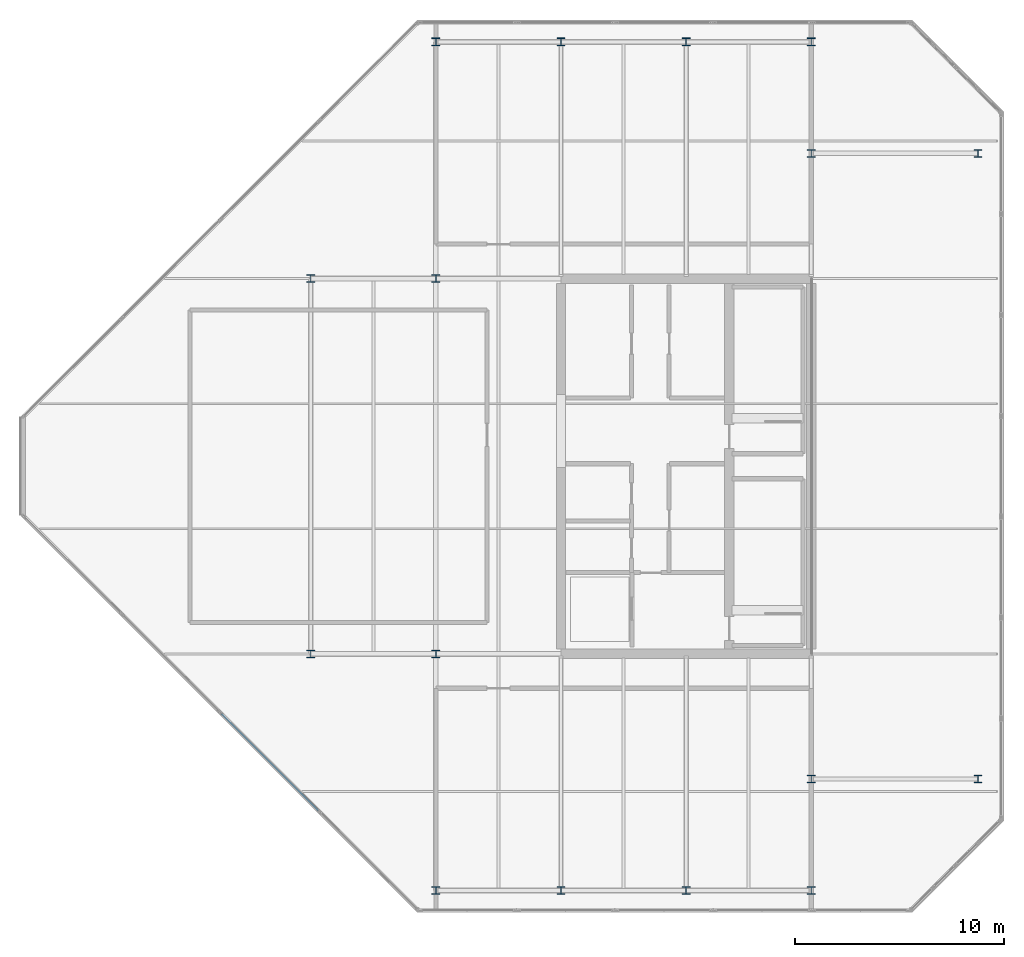
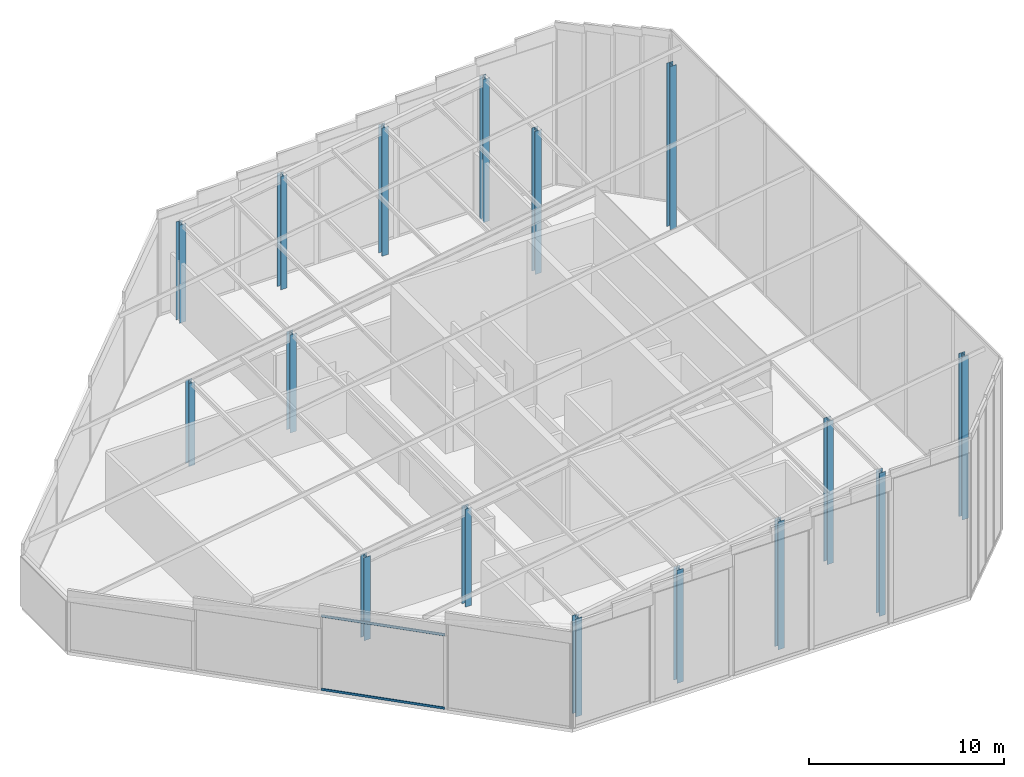
# One storey, part 1 of 30: 16 columns, 2 members, 1 element without a shape of its own.
"""IFC4 building model written with IfcOpenShell, lengths in metres."""

from ifc_helpers import new_model, si_unit, direction, frame, origin, origin_2d, place, context, subcontext, project, spatial, hollow_rectangle, i_section, extrude, material, layer, layer_set, material_profile, profile_set, type_object, element, aggregate, save


model = new_model("IFC4")

# Units and contexts
model_context = context("Model", 3, precision=1e-05, world=origin(), true_north=direction((0.0, 1.0)))
body_context = subcontext(model_context, "Body", "Model", "MODEL_VIEW")
ifc_project = project(units=[si_unit("LENGTHUNIT", "METRE"), si_unit("AREAUNIT", "SQUARE_METRE"), si_unit("VOLUMEUNIT", "CUBIC_METRE"), si_unit("PLANEANGLEUNIT", "RADIAN"), si_unit("MASSUNIT", "GRAM", prefix="KILO")], contexts=[model_context])

# Site, building, storey
site_placement = place(None, origin())
site = spatial("IfcSite", under=ifc_project, at=site_placement, CompositionType="ELEMENT")
building_placement = place(site_placement, origin())
building = spatial("IfcBuilding", under=site, at=building_placement, Name="Tanjung Sevakor Pilgrim Tower", CompositionType="ELEMENT")
storey_placement = place(building_placement, frame((0.0, 0.0, 287.760009765625)))
storey = spatial("IfcBuildingStorey", under=building, at=storey_placement, Name="L80", CompositionType="ELEMENT", Elevation=287.760009765625)

# Columns
ifc_material_1 = material(Name="Steel S460M", Category="steel")
ifc_material_profile_1 = material_profile(ifc_material_1, i_section(OverallWidth=0.374755859375, OverallDepth=0.37451171875, WebThickness=0.0166015625, FlangeThickness=0.027099609375, FilletRadius=0.01513671875, at=origin_2d()))
ifc_profile_set_1 = profile_set([ifc_material_profile_1], Name="Steel S460M")
column_type = type_object("IfcColumnType", Name="COL-C-S202-UC_356x368x202", PredefinedType="COLUMN", material=ifc_profile_set_1)
for number, where, z_axis, x_axis, name in (
    (1, (66.0, 24.60009765625, 0.0), (0.0, 0.0, 1.0), (1.0, 0.0, 0.0), "L80 Column SPE-066-246"),
    (2, (66.0, 42.60009765625, 0.0), (0.0, 0.0, 1.0), (1.0, 0.0, 0.0), "L80 Column SPE-066-426"),
):
    element("IfcColumn", number, at=place(storey_placement, frame(where, z_axis=z_axis, x_axis=x_axis)), inside=storey, type_object=column_type, Name=name, PredefinedType="COLUMN", context=body_context, shape_type="SweptSolid", body=[
        extrude(i_section(OverallWidth=0.374755859375, OverallDepth=0.37451171875, WebThickness=0.0166015625, FlangeThickness=0.027099609375, FilletRadius=0.01513671875, at=origin_2d()), origin(), (0.0, 0.0, 1.0), 5.203857421875),
    ])
for number, where, z_axis, x_axis, name in (
    (3, (72.0, 24.60009765625, 0.0), (0.0, 0.0, 1.0), (1.0, 0.0, 0.0), "L80 Column SPE-072-246"),
    (4, (72.0, 42.60009765625, 0.0), (0.0, 0.0, 1.0), (1.0, 0.0, 0.0), "L80 Column SPE-072-426"),
):
    element("IfcColumn", number, at=place(storey_placement, frame(where, z_axis=z_axis, x_axis=x_axis)), inside=storey, type_object=column_type, Name=name, PredefinedType="COLUMN", context=body_context, shape_type="SweptSolid", body=[
        extrude(i_section(OverallWidth=0.374755859375, OverallDepth=0.37451171875, WebThickness=0.0166015625, FlangeThickness=0.027099609375, FilletRadius=0.01513671875, at=origin_2d()), origin(), (0.0, 0.0, 1.0), 6.146484375),
    ])
for number, where, z_axis, x_axis, name in (
    (5, (90.0, 18.60009765625, 0.0), (0.0, 0.0, 1.0), (1.0, 0.0, 0.0), "L80 Column TCE-0900-186"),
    (6, (90.0, 48.60009765625, 0.0), (0.0, 0.0, 1.0), (1.0, 0.0, 0.0), "L80 Column TCE-0900-486"),
):
    element("IfcColumn", number, at=place(storey_placement, frame(where, z_axis=z_axis, x_axis=x_axis)), inside=storey, type_object=column_type, Name=name, PredefinedType="COLUMN", context=body_context, shape_type="SweptSolid", body=[
        extrude(i_section(OverallWidth=0.374755859375, OverallDepth=0.37451171875, WebThickness=0.0166015625, FlangeThickness=0.027099609375, FilletRadius=0.01513671875, at=origin_2d()), origin(), (0.0, 0.0, 1.0), 8.974609375),
    ])
for number, where, z_axis, x_axis, name in (
    (7, (98.0, 18.60009765625, 0.0), (0.0, 0.0, 1.0), (1.0, 0.0, 0.0), "L80 Column TCE-0980-186"),
    (8, (98.0, 48.60009765625, 0.0), (0.0, 0.0, 1.0), (1.0, 0.0, 0.0), "L80 Column TCE-0980-486"),
):
    element("IfcColumn", number, at=place(storey_placement, frame(where, z_axis=z_axis, x_axis=x_axis)), inside=storey, type_object=column_type, Name=name, PredefinedType="COLUMN", context=body_context, shape_type="SweptSolid", body=[
        extrude(i_section(OverallWidth=0.374755859375, OverallDepth=0.37451171875, WebThickness=0.0166015625, FlangeThickness=0.027099609375, FilletRadius=0.01513671875, at=origin_2d()), origin(), (0.0, 0.0, 1.0), 10.2314453125),
    ])
for number, where, z_axis, x_axis, name in (
    (9, (72.0, 13.25, 0.0), (0.0, 0.0, 1.0), (1.0, 0.0, 0.0), "L80 Column TC4-072-132"),
    (10, (72.0, 53.949951171875, 0.0), (0.0, 0.0, 1.0), (1.0, 0.0, 0.0), "L80 Column TC4-072-540"),
):
    element("IfcColumn", number, at=place(storey_placement, frame(where, z_axis=z_axis, x_axis=x_axis)), inside=storey, type_object=column_type, Name=name, PredefinedType="COLUMN", context=body_context, shape_type="SweptSolid", body=[
        extrude(i_section(OverallWidth=0.374755859375, OverallDepth=0.37451171875, WebThickness=0.0166015625, FlangeThickness=0.027099609375, FilletRadius=0.01513671875, at=origin_2d()), origin(), (0.0, 0.0, 1.0), 6.146484375),
    ])
for number, where, z_axis, x_axis, name in (
    (11, (78.0, 13.25, 0.0), (0.0, 0.0, 1.0), (1.0, 0.0, 0.0), "L80 Column TC4-078-132"),
    (12, (78.0, 53.949951171875, 0.0), (0.0, 0.0, 1.0), (1.0, 0.0, 0.0), "L80 Column TC4-078-540"),
):
    element("IfcColumn", number, at=place(storey_placement, frame(where, z_axis=z_axis, x_axis=x_axis)), inside=storey, type_object=column_type, Name=name, PredefinedType="COLUMN", context=body_context, shape_type="SweptSolid", body=[
        extrude(i_section(OverallWidth=0.374755859375, OverallDepth=0.37451171875, WebThickness=0.0166015625, FlangeThickness=0.027099609375, FilletRadius=0.01513671875, at=origin_2d()), origin(), (0.0, 0.0, 1.0), 7.089111328125),
    ])
for number, where, z_axis, x_axis, name in (
    (13, (84.0, 13.25, 0.0), (0.0, 0.0, 1.0), (1.0, 0.0, 0.0), "L80 Column TC4-084-132"),
    (14, (84.0, 53.949951171875, 0.0), (0.0, 0.0, 1.0), (1.0, 0.0, 0.0), "L80 Column TC4-084-540"),
):
    element("IfcColumn", number, at=place(storey_placement, frame(where, z_axis=z_axis, x_axis=x_axis)), inside=storey, type_object=column_type, Name=name, PredefinedType="COLUMN", context=body_context, shape_type="SweptSolid", body=[
        extrude(i_section(OverallWidth=0.374755859375, OverallDepth=0.37451171875, WebThickness=0.0166015625, FlangeThickness=0.027099609375, FilletRadius=0.01513671875, at=origin_2d()), origin(), (0.0, 0.0, 1.0), 8.031982421875),
    ])
for number, where, z_axis, x_axis, name in (
    (15, (90.0, 13.25, 0.0), (0.0, 0.0, 1.0), (1.0, 0.0, 0.0), "L80 Column TC4-090-132"),
    (16, (90.0, 53.949951171875, 0.0), (0.0, 0.0, 1.0), (1.0, 0.0, 0.0), "L80 Column TC4-090-540"),
):
    element("IfcColumn", number, at=place(storey_placement, frame(where, z_axis=z_axis, x_axis=x_axis)), inside=storey, type_object=column_type, Name=name, PredefinedType="COLUMN", context=body_context, shape_type="SweptSolid", body=[
        extrude(i_section(OverallWidth=0.374755859375, OverallDepth=0.37451171875, WebThickness=0.0166015625, FlangeThickness=0.027099609375, FilletRadius=0.01513671875, at=origin_2d()), origin(), (0.0, 0.0, 1.0), 8.974609375),
    ])

# Curtain wall, members
ifc_material_2 = material(Name="Aluminium 6063-T6 and Low-E Glass", Category="aluminium")
ifc_layer = layer(ifc_material_2, 0.179931640625)
ifc_layer_set = layer_set([ifc_layer], Name="CW-SYS-CHAM")
curtain_wall_type = type_object("IfcCurtainWallType", Name="CW-SYS-CHAM", PredefinedType="NOTDEFINED", material=ifc_layer_set)
curtain_wall_placement = place(storey_placement, origin())
curtain_wall = element("IfcCurtainWall", 17, at=curtain_wall_placement, inside=storey, type_object=curtain_wall_type, Name="L80 Curtain Wall CW-CHM-L80-EAST-7B3", PredefinedType="NOTDEFINED")
ifc_material_3 = material(Name="Aluminium 6063-T6", Category="aluminium")
ifc_material_profile_2 = material_profile(ifc_material_3, hollow_rectangle(XDim=0.06494140625, YDim=0.139892578125, WallThickness=0.00390625, at=origin_2d()))
ifc_profile_set_2 = profile_set([ifc_material_profile_2], Name="Aluminium 6063-T6")
member_type = type_object("IfcMemberType", Name="TYPE-CWT-1", PredefinedType="USERDEFINED", material=ifc_profile_set_2)
member_1_placement = place(storey_placement, frame((61.723876953125, 21.73193359375, 0.032470703125), z_axis=(0.707088186081, -0.707125375803, 0.0), x_axis=(0.707125375803, 0.707088186081, 0.0)))
member_1 = element("IfcMember", 18, at=member_1_placement, type_object=member_type, Name="CW-CHM transom 1.1", ObjectType="TRANSOM", PredefinedType="USERDEFINED", context=body_context, shape_type="SweptSolid", body=[
    extrude(hollow_rectangle(XDim=0.06494140625, YDim=0.139892578125, WallThickness=0.00390625, at=origin_2d()), origin(), (0.0, 0.0, 1.0), 6.564697265625),
])
member_2_placement = place(storey_placement, frame((61.723876953125, 21.73193359375, 4.63232421875), z_axis=(0.707088186081, -0.707125375803, 0.0), x_axis=(0.707125375803, 0.707088186081, 0.0)))
member_2 = element("IfcMember", 19, at=member_2_placement, type_object=member_type, Name="CW-CHM transom 1.2", ObjectType="TRANSOM", PredefinedType="USERDEFINED", context=body_context, shape_type="SweptSolid", body=[
    extrude(hollow_rectangle(XDim=0.06494140625, YDim=0.139892578125, WallThickness=0.00390625, at=origin_2d()), origin(), (0.0, 0.0, 1.0), 6.564697265625),
])
aggregate(curtain_wall, [member_1, member_2])

save(model, "model.ifc")
